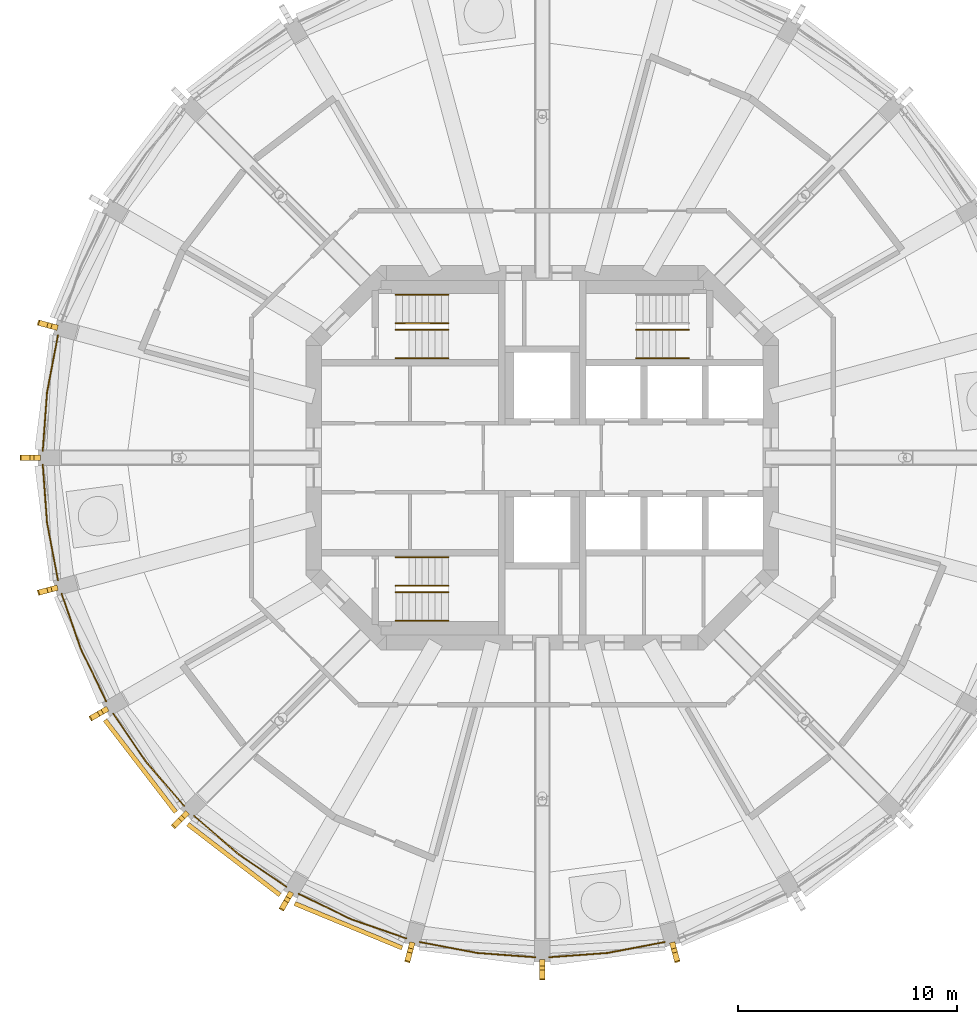
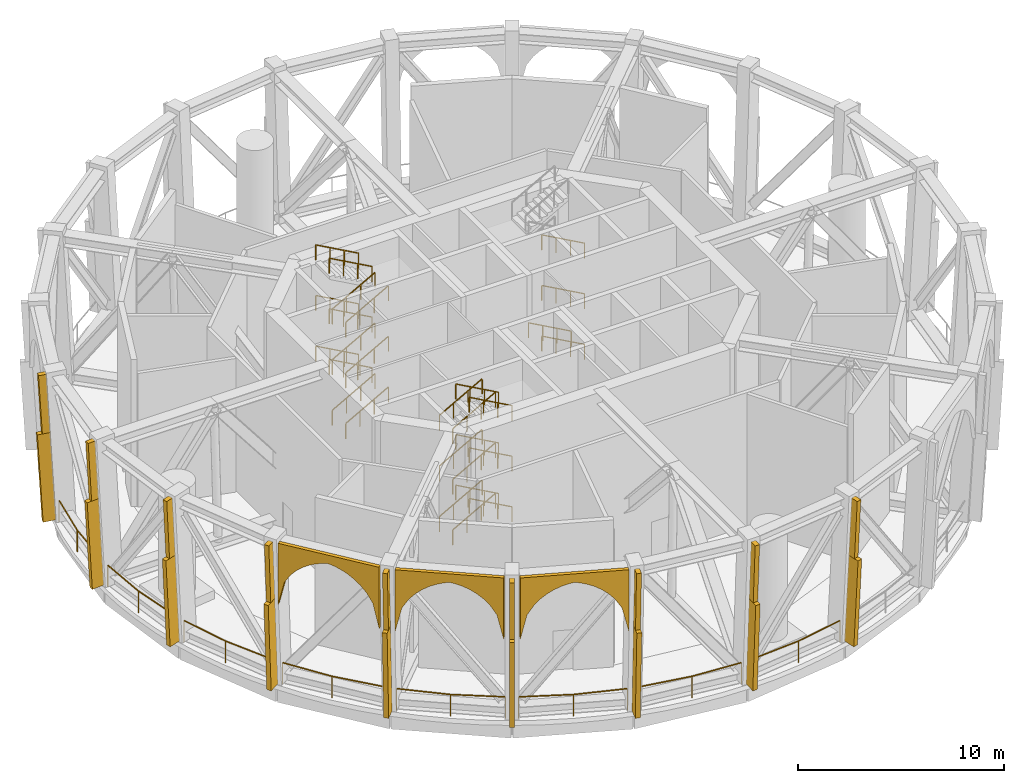
# One storey, part 9 of 12: 36 railings, 21 coverings.
"""IFC4 building model written with IfcOpenShell, lengths in metres."""

from ifc_helpers import new_model, si_unit, direction, frame, origin, origin_2d, place, context, subcontext, project, spatial, polyline, rectangle, outline, extrude, material, layer, layer_set, material_profile, profile_set, type_object, element, save


model = new_model("IFC4")

# Units and contexts
model_context = context("Model", 3, precision=1e-05, world=origin(), true_north=direction((0.0, 1.0)))
body_context = subcontext(model_context, "Body", "Model", "MODEL_VIEW")
ifc_project = project(units=[si_unit("LENGTHUNIT", "METRE"), si_unit("AREAUNIT", "SQUARE_METRE"), si_unit("VOLUMEUNIT", "CUBIC_METRE"), si_unit("PLANEANGLEUNIT", "RADIAN"), si_unit("MASSUNIT", "GRAM", prefix="KILO")], contexts=[model_context])

# Site, building, storey
site_placement = place(None, origin())
site = spatial("IfcSite", under=ifc_project, at=site_placement, CompositionType="ELEMENT")
building_placement = place(site_placement, origin())
building = spatial("IfcBuilding", under=site, at=building_placement, Name="Torre Triforio", CompositionType="ELEMENT")
storey_placement = place(building_placement, frame((0.0, 0.0, 183.800048828125)))
storey = spatial("IfcBuildingStorey", under=building, at=storey_placement, Name="L42", CompositionType="ELEMENT", Elevation=183.800048828125)

# Railings
ifc_material_1 = material(Name="Stainless steel AISI 316", Category="steel")
railing_type_1 = type_object("IfcRailingType", Name="HANDRAIL 920", PredefinedType="HANDRAIL", material=ifc_material_1)
for number, where, name in (
    (1, (-6.699951171875, 4.550048828125, 0.16650390625), "Handrail ST1"),
    (2, (-6.699951171875, 5.85009765625, 0.16650390625), "Handrail ST1"),
):
    element("IfcRailing", number, at=place(storey_placement, frame(where)), inside=storey, type_object=railing_type_1, Name=name, PredefinedType="HANDRAIL", context=body_context, shape_type="SweptSolid", body=[
        extrude(rectangle(XDim=0.048095703125, YDim=0.048095703125, at=origin_2d()), frame((0.0, 0.0, 0.89599609375), z_axis=(0.874123717778, 0.0, 0.485703331282), x_axis=(0.0, 1.0, 0.0)), (0.0, 0.0, 1.0), 2.74560546875),
        extrude(rectangle(XDim=0.0419921875, YDim=0.0419921875, at=origin_2d()), origin(), (0.0, 0.0, 1.0), 0.871826171875),
        extrude(rectangle(XDim=0.0419921875, YDim=0.0419921875, at=origin_2d()), frame((0.800048828125, 0.0, 0.444580078125)), (0.0, 0.0, 1.0), 0.871826171875),
        extrude(rectangle(XDim=0.0419921875, YDim=0.0419921875, at=origin_2d()), frame((1.599853515625, 0.0, 0.888916015625)), (0.0, 0.0, 1.0), 0.871826171875),
        extrude(rectangle(XDim=0.0419921875, YDim=0.0419921875, at=origin_2d()), frame((2.39990234375, 0.0, 1.33349609375)), (0.0, 0.0, 1.0), 0.871826171875),
    ])
for number, where, name in (
    (3, (-4.300048828125, 7.449951171875, 1.66650390625), "Handrail ST1"),
    (4, (-4.300048828125, 6.14990234375, 1.66650390625), "Handrail ST1"),
):
    element("IfcRailing", number, at=place(storey_placement, frame(where)), inside=storey, type_object=railing_type_1, Name=name, PredefinedType="HANDRAIL", context=body_context, shape_type="SweptSolid", body=[
        extrude(rectangle(XDim=0.048095703125, YDim=0.048095703125, at=origin_2d()), frame((0.0, 0.0, 0.89599609375), z_axis=(-0.874123717778, 0.0, 0.485703331282), x_axis=(0.0, -1.0, 0.0)), (0.0, 0.0, 1.0), 2.74560546875),
        extrude(rectangle(XDim=0.0419921875, YDim=0.0419921875, at=origin_2d()), origin(), (0.0, 0.0, 1.0), 0.871826171875),
        extrude(rectangle(XDim=0.0419921875, YDim=0.0419921875, at=origin_2d()), frame((-0.800048828125, 0.0, 0.444580078125)), (0.0, 0.0, 1.0), 0.871826171875),
        extrude(rectangle(XDim=0.0419921875, YDim=0.0419921875, at=origin_2d()), frame((-1.599853515625, 0.0, 0.888916015625)), (0.0, 0.0, 1.0), 0.871826171875),
        extrude(rectangle(XDim=0.0419921875, YDim=0.0419921875, at=origin_2d()), frame((-2.39990234375, 0.0, 1.33349609375)), (0.0, 0.0, 1.0), 0.871826171875),
    ])
for number, where, name in (
    (5, (-6.699951171875, 4.550048828125, 3.16650390625), "Handrail ST1"),
    (6, (-6.699951171875, 5.85009765625, 3.16650390625), "Handrail ST1"),
):
    element("IfcRailing", number, at=place(storey_placement, frame(where)), inside=storey, type_object=railing_type_1, Name=name, PredefinedType="HANDRAIL", context=body_context, shape_type="SweptSolid", body=[
        extrude(rectangle(XDim=0.048095703125, YDim=0.048095703125, at=origin_2d()), frame((0.0, 0.0, 0.89599609375), z_axis=(0.874123717778, 0.0, 0.485703331282), x_axis=(0.0, 1.0, 0.0)), (0.0, 0.0, 1.0), 2.74560546875),
        extrude(rectangle(XDim=0.0419921875, YDim=0.0419921875, at=origin_2d()), origin(), (0.0, 0.0, 1.0), 0.871826171875),
        extrude(rectangle(XDim=0.0419921875, YDim=0.0419921875, at=origin_2d()), frame((0.800048828125, 0.0, 0.444580078125)), (0.0, 0.0, 1.0), 0.871826171875),
        extrude(rectangle(XDim=0.0419921875, YDim=0.0419921875, at=origin_2d()), frame((1.599853515625, 0.0, 0.888916015625)), (0.0, 0.0, 1.0), 0.871826171875),
        extrude(rectangle(XDim=0.0419921875, YDim=0.0419921875, at=origin_2d()), frame((2.39990234375, 0.0, 1.33349609375)), (0.0, 0.0, 1.0), 0.871826171875),
    ])
for number, where, name in (
    (7, (-4.300048828125, 7.449951171875, 4.66650390625), "Handrail ST1"),
    (8, (-4.300048828125, 6.14990234375, 4.66650390625), "Handrail ST1"),
):
    element("IfcRailing", number, at=place(storey_placement, frame(where)), inside=storey, type_object=railing_type_1, Name=name, PredefinedType="HANDRAIL", context=body_context, shape_type="SweptSolid", body=[
        extrude(rectangle(XDim=0.048095703125, YDim=0.048095703125, at=origin_2d()), frame((0.0, 0.0, 0.89599609375), z_axis=(-0.874123717778, 0.0, 0.485703331282), x_axis=(0.0, -1.0, 0.0)), (0.0, 0.0, 1.0), 2.74560546875),
        extrude(rectangle(XDim=0.0419921875, YDim=0.0419921875, at=origin_2d()), origin(), (0.0, 0.0, 1.0), 0.871826171875),
        extrude(rectangle(XDim=0.0419921875, YDim=0.0419921875, at=origin_2d()), frame((-0.800048828125, 0.0, 0.444580078125)), (0.0, 0.0, 1.0), 0.871826171875),
        extrude(rectangle(XDim=0.0419921875, YDim=0.0419921875, at=origin_2d()), frame((-1.599853515625, 0.0, 0.888916015625)), (0.0, 0.0, 1.0), 0.871826171875),
        extrude(rectangle(XDim=0.0419921875, YDim=0.0419921875, at=origin_2d()), frame((-2.39990234375, 0.0, 1.33349609375)), (0.0, 0.0, 1.0), 0.871826171875),
    ])
for number, where, name in (
    (9, (-6.699951171875, 4.550048828125, 6.16650390625), "Handrail ST1"),
    (10, (-6.699951171875, 5.85009765625, 6.16650390625), "Handrail ST1"),
):
    element("IfcRailing", number, at=place(storey_placement, frame(where)), inside=storey, type_object=railing_type_1, Name=name, PredefinedType="HANDRAIL", context=body_context, shape_type="SweptSolid", body=[
        extrude(rectangle(XDim=0.048095703125, YDim=0.048095703125, at=origin_2d()), frame((0.0, 0.0, 0.89599609375), z_axis=(0.874123717778, 0.0, 0.485703331282), x_axis=(0.0, 1.0, 0.0)), (0.0, 0.0, 1.0), 2.74560546875),
        extrude(rectangle(XDim=0.0419921875, YDim=0.0419921875, at=origin_2d()), origin(), (0.0, 0.0, 1.0), 0.871826171875),
        extrude(rectangle(XDim=0.0419921875, YDim=0.0419921875, at=origin_2d()), frame((0.800048828125, 0.0, 0.444580078125)), (0.0, 0.0, 1.0), 0.871826171875),
        extrude(rectangle(XDim=0.0419921875, YDim=0.0419921875, at=origin_2d()), frame((1.599853515625, 0.0, 0.888916015625)), (0.0, 0.0, 1.0), 0.871826171875),
        extrude(rectangle(XDim=0.0419921875, YDim=0.0419921875, at=origin_2d()), frame((2.39990234375, 0.0, 1.33349609375)), (0.0, 0.0, 1.0), 0.871826171875),
    ])
for number, where, name in (
    (11, (-4.300048828125, 7.449951171875, 7.66650390625), "Handrail ST1"),
    (12, (-4.300048828125, 6.14990234375, 7.66650390625), "Handrail ST1"),
    (13, (6.699951171875, 4.550048828125, 0.16650390625), "Handrail ST2"),
    (14, (6.699951171875, 5.85009765625, 0.16650390625), "Handrail ST2"),
    (15, (6.699951171875, 4.550048828125, 3.16650390625), "Handrail ST2"),
    (16, (6.699951171875, 4.550048828125, 6.16650390625), "Handrail ST2"),
):
    element("IfcRailing", number, at=place(storey_placement, frame(where)), inside=storey, type_object=railing_type_1, Name=name, PredefinedType="HANDRAIL", context=body_context, shape_type="SweptSolid", body=[
        extrude(rectangle(XDim=0.048095703125, YDim=0.048095703125, at=origin_2d()), frame((0.0, 0.0, 0.89599609375), z_axis=(-0.874123717778, 0.0, 0.485703331282), x_axis=(0.0, -1.0, 0.0)), (0.0, 0.0, 1.0), 2.74560546875),
        extrude(rectangle(XDim=0.0419921875, YDim=0.0419921875, at=origin_2d()), origin(), (0.0, 0.0, 1.0), 0.871826171875),
        extrude(rectangle(XDim=0.0419921875, YDim=0.0419921875, at=origin_2d()), frame((-0.800048828125, 0.0, 0.444580078125)), (0.0, 0.0, 1.0), 0.871826171875),
        extrude(rectangle(XDim=0.0419921875, YDim=0.0419921875, at=origin_2d()), frame((-1.599853515625, 0.0, 0.888916015625)), (0.0, 0.0, 1.0), 0.871826171875),
        extrude(rectangle(XDim=0.0419921875, YDim=0.0419921875, at=origin_2d()), frame((-2.39990234375, 0.0, 1.33349609375)), (0.0, 0.0, 1.0), 0.871826171875),
    ])
for number, where, name in (
    (17, (-6.699951171875, -4.550048828125, 0.16650390625), "Handrail ST3"),
    (18, (-6.699951171875, -5.85009765625, 0.16650390625), "Handrail ST3"),
):
    element("IfcRailing", number, at=place(storey_placement, frame(where)), inside=storey, type_object=railing_type_1, Name=name, PredefinedType="HANDRAIL", context=body_context, shape_type="SweptSolid", body=[
        extrude(rectangle(XDim=0.048095703125, YDim=0.048095703125, at=origin_2d()), frame((0.0, 0.0, 0.89599609375), z_axis=(0.874123717778, 0.0, 0.485703331282), x_axis=(0.0, 1.0, 0.0)), (0.0, 0.0, 1.0), 2.74560546875),
        extrude(rectangle(XDim=0.0419921875, YDim=0.0419921875, at=origin_2d()), origin(), (0.0, 0.0, 1.0), 0.871826171875),
        extrude(rectangle(XDim=0.0419921875, YDim=0.0419921875, at=origin_2d()), frame((0.800048828125, 0.0, 0.444580078125)), (0.0, 0.0, 1.0), 0.871826171875),
        extrude(rectangle(XDim=0.0419921875, YDim=0.0419921875, at=origin_2d()), frame((1.599853515625, 0.0, 0.888916015625)), (0.0, 0.0, 1.0), 0.871826171875),
        extrude(rectangle(XDim=0.0419921875, YDim=0.0419921875, at=origin_2d()), frame((2.39990234375, 0.0, 1.33349609375)), (0.0, 0.0, 1.0), 0.871826171875),
    ])
for number, where, name in (
    (19, (-4.300048828125, -7.449951171875, 1.66650390625), "Handrail ST3"),
    (20, (-4.300048828125, -6.14990234375, 1.66650390625), "Handrail ST3"),
):
    element("IfcRailing", number, at=place(storey_placement, frame(where)), inside=storey, type_object=railing_type_1, Name=name, PredefinedType="HANDRAIL", context=body_context, shape_type="SweptSolid", body=[
        extrude(rectangle(XDim=0.048095703125, YDim=0.048095703125, at=origin_2d()), frame((0.0, 0.0, 0.89599609375), z_axis=(-0.874123717778, 0.0, 0.485703331282), x_axis=(0.0, -1.0, 0.0)), (0.0, 0.0, 1.0), 2.74560546875),
        extrude(rectangle(XDim=0.0419921875, YDim=0.0419921875, at=origin_2d()), origin(), (0.0, 0.0, 1.0), 0.871826171875),
        extrude(rectangle(XDim=0.0419921875, YDim=0.0419921875, at=origin_2d()), frame((-0.800048828125, 0.0, 0.444580078125)), (0.0, 0.0, 1.0), 0.871826171875),
        extrude(rectangle(XDim=0.0419921875, YDim=0.0419921875, at=origin_2d()), frame((-1.599853515625, 0.0, 0.888916015625)), (0.0, 0.0, 1.0), 0.871826171875),
        extrude(rectangle(XDim=0.0419921875, YDim=0.0419921875, at=origin_2d()), frame((-2.39990234375, 0.0, 1.33349609375)), (0.0, 0.0, 1.0), 0.871826171875),
    ])
for number, where, name in (
    (21, (-6.699951171875, -4.550048828125, 3.16650390625), "Handrail ST3"),
    (22, (-6.699951171875, -5.85009765625, 3.16650390625), "Handrail ST3"),
):
    element("IfcRailing", number, at=place(storey_placement, frame(where)), inside=storey, type_object=railing_type_1, Name=name, PredefinedType="HANDRAIL", context=body_context, shape_type="SweptSolid", body=[
        extrude(rectangle(XDim=0.048095703125, YDim=0.048095703125, at=origin_2d()), frame((0.0, 0.0, 0.89599609375), z_axis=(0.874123717778, 0.0, 0.485703331282), x_axis=(0.0, 1.0, 0.0)), (0.0, 0.0, 1.0), 2.74560546875),
        extrude(rectangle(XDim=0.0419921875, YDim=0.0419921875, at=origin_2d()), origin(), (0.0, 0.0, 1.0), 0.871826171875),
        extrude(rectangle(XDim=0.0419921875, YDim=0.0419921875, at=origin_2d()), frame((0.800048828125, 0.0, 0.444580078125)), (0.0, 0.0, 1.0), 0.871826171875),
        extrude(rectangle(XDim=0.0419921875, YDim=0.0419921875, at=origin_2d()), frame((1.599853515625, 0.0, 0.888916015625)), (0.0, 0.0, 1.0), 0.871826171875),
        extrude(rectangle(XDim=0.0419921875, YDim=0.0419921875, at=origin_2d()), frame((2.39990234375, 0.0, 1.33349609375)), (0.0, 0.0, 1.0), 0.871826171875),
    ])
for number, where, name in (
    (23, (-4.300048828125, -7.449951171875, 4.66650390625), "Handrail ST3"),
    (24, (-4.300048828125, -6.14990234375, 4.66650390625), "Handrail ST3"),
):
    element("IfcRailing", number, at=place(storey_placement, frame(where)), inside=storey, type_object=railing_type_1, Name=name, PredefinedType="HANDRAIL", context=body_context, shape_type="SweptSolid", body=[
        extrude(rectangle(XDim=0.048095703125, YDim=0.048095703125, at=origin_2d()), frame((0.0, 0.0, 0.89599609375), z_axis=(-0.874123717778, 0.0, 0.485703331282), x_axis=(0.0, -1.0, 0.0)), (0.0, 0.0, 1.0), 2.74560546875),
        extrude(rectangle(XDim=0.0419921875, YDim=0.0419921875, at=origin_2d()), origin(), (0.0, 0.0, 1.0), 0.871826171875),
        extrude(rectangle(XDim=0.0419921875, YDim=0.0419921875, at=origin_2d()), frame((-0.800048828125, 0.0, 0.444580078125)), (0.0, 0.0, 1.0), 0.871826171875),
        extrude(rectangle(XDim=0.0419921875, YDim=0.0419921875, at=origin_2d()), frame((-1.599853515625, 0.0, 0.888916015625)), (0.0, 0.0, 1.0), 0.871826171875),
        extrude(rectangle(XDim=0.0419921875, YDim=0.0419921875, at=origin_2d()), frame((-2.39990234375, 0.0, 1.33349609375)), (0.0, 0.0, 1.0), 0.871826171875),
    ])
for number, where, name in (
    (25, (-6.699951171875, -4.550048828125, 6.16650390625), "Handrail ST3"),
    (26, (-6.699951171875, -5.85009765625, 6.16650390625), "Handrail ST3"),
):
    element("IfcRailing", number, at=place(storey_placement, frame(where)), inside=storey, type_object=railing_type_1, Name=name, PredefinedType="HANDRAIL", context=body_context, shape_type="SweptSolid", body=[
        extrude(rectangle(XDim=0.048095703125, YDim=0.048095703125, at=origin_2d()), frame((0.0, 0.0, 0.89599609375), z_axis=(0.874123717778, 0.0, 0.485703331282), x_axis=(0.0, 1.0, 0.0)), (0.0, 0.0, 1.0), 2.74560546875),
        extrude(rectangle(XDim=0.0419921875, YDim=0.0419921875, at=origin_2d()), origin(), (0.0, 0.0, 1.0), 0.871826171875),
        extrude(rectangle(XDim=0.0419921875, YDim=0.0419921875, at=origin_2d()), frame((0.800048828125, 0.0, 0.444580078125)), (0.0, 0.0, 1.0), 0.871826171875),
        extrude(rectangle(XDim=0.0419921875, YDim=0.0419921875, at=origin_2d()), frame((1.599853515625, 0.0, 0.888916015625)), (0.0, 0.0, 1.0), 0.871826171875),
        extrude(rectangle(XDim=0.0419921875, YDim=0.0419921875, at=origin_2d()), frame((2.39990234375, 0.0, 1.33349609375)), (0.0, 0.0, 1.0), 0.871826171875),
    ])
for number, where, name in (
    (27, (-4.300048828125, -7.449951171875, 7.66650390625), "Handrail ST3"),
    (28, (-4.300048828125, -6.14990234375, 7.66650390625), "Handrail ST3"),
):
    element("IfcRailing", number, at=place(storey_placement, frame(where)), inside=storey, type_object=railing_type_1, Name=name, PredefinedType="HANDRAIL", context=body_context, shape_type="SweptSolid", body=[
        extrude(rectangle(XDim=0.048095703125, YDim=0.048095703125, at=origin_2d()), frame((0.0, 0.0, 0.89599609375), z_axis=(-0.874123717778, 0.0, 0.485703331282), x_axis=(0.0, -1.0, 0.0)), (0.0, 0.0, 1.0), 2.74560546875),
        extrude(rectangle(XDim=0.0419921875, YDim=0.0419921875, at=origin_2d()), origin(), (0.0, 0.0, 1.0), 0.871826171875),
        extrude(rectangle(XDim=0.0419921875, YDim=0.0419921875, at=origin_2d()), frame((-0.800048828125, 0.0, 0.444580078125)), (0.0, 0.0, 1.0), 0.871826171875),
        extrude(rectangle(XDim=0.0419921875, YDim=0.0419921875, at=origin_2d()), frame((-1.599853515625, 0.0, 0.888916015625)), (0.0, 0.0, 1.0), 0.871826171875),
        extrude(rectangle(XDim=0.0419921875, YDim=0.0419921875, at=origin_2d()), frame((-2.39990234375, 0.0, 1.33349609375)), (0.0, 0.0, 1.0), 0.871826171875),
    ])

# Coverings
ifc_material_2 = material(Name="Limestone arch panel", Category="masonry")
ifc_layer = layer(ifc_material_2, 0.199951171875)
ifc_layer_set = layer_set([ifc_layer], Name="Limestone arch panel")
covering_type_1 = type_object("IfcCoveringType", Name="Lancet arch cladding panel 200", PredefinedType="CLADDING", material=ifc_layer_set)
for number, where, z_axis, x_axis, name in (
    (29, (-18.305908203125, -14.046630859375, 0.0), (-0.793213368033, -0.608943800998, 0.0), (0.608943800998, -0.793213368033, 0.0), "Lancet arch panel L42 bay 15"),
    (30, (-14.046630859375, -18.305908203125, 0.0), (-0.608943800998, -0.793213368033, 0.0), (0.793213368033, -0.608943800998, 0.0), "Lancet arch panel L42 bay 16"),
    (31, (-8.830078125, -21.317626953125, 0.0), (-0.382100188932, -0.924120904221, 0.0), (0.924120904221, -0.382100188932, 0.0), "Lancet arch panel L42 bay 17"),
):
    element("IfcCovering", number, at=place(storey_placement, frame(where, z_axis=z_axis, x_axis=x_axis)), inside=storey, type_object=covering_type_1, Name=name, PredefinedType="CLADDING", context=body_context, shape_type="SweptSolid", body=[
        extrude(outline(polyline([(-2.65869140625, 8.719970703125), (-2.65869140625, 5.082763671875), (-2.326416015625, 6.498046875), (-1.994140625, 7.028564453125), (-1.66162109375, 7.395263671875), (-1.329345703125, 7.6689453125), (-0.9970703125, 7.877197265625), (-0.664794921875, 8.033447265625), (-0.332275390625, 8.146240234375), (0.0, 8.219970703125), (0.332275390625, 8.146240234375), (0.664794921875, 8.033447265625), (0.9970703125, 7.877197265625), (1.329345703125, 7.6689453125), (1.66162109375, 7.395263671875), (1.994140625, 7.028564453125), (2.326416015625, 6.498046875), (2.65869140625, 5.082763671875), (2.65869140625, 8.719970703125), (-2.65869140625, 8.719970703125)])), origin(), (0.0, 0.0, 1.0), 0.199951171875),
    ])

# Railings
railing_type_2 = type_object("IfcRailingType", Name="Loggia guard 1300", PredefinedType="GUARDRAIL", material=ifc_material_1)
railing_1_placement = place(storey_placement, frame((-22.154296875, 5.60498046875, 0.0)))
element("IfcRailing", 32, at=railing_1_placement, inside=storey, type_object=railing_type_2, Name="Loggia guard L42 bay 12", PredefinedType="GUARDRAIL", context=body_context, shape_type="SweptSolid", body=[
    extrude(rectangle(XDim=0.050048828125, YDim=0.050048828125, at=origin_2d()), frame((0.0, 0.0, 1.27490234375), z_axis=(-0.187368424401, -0.982289709575, 0.0), x_axis=(0.982289709575, -0.187368424401, 0.0)), (0.0, 0.0, 1.0), 2.669921875),
    extrude(rectangle(XDim=0.050048828125, YDim=0.050048828125, at=origin_2d()), frame((-0.500244140625, -2.62255859375, 1.27490234375), z_axis=(-0.073255194528, -0.997313228868, 0.0), x_axis=(0.997313228868, -0.073255194528, 0.0)), (0.0, 0.0, 1.0), 2.66943359375),
    extrude(rectangle(XDim=0.0400390625, YDim=0.0400390625, at=origin_2d()), origin(), (0.0, 0.0, 1.0), 1.25),
    extrude(rectangle(XDim=0.0400390625, YDim=0.0400390625, at=origin_2d()), frame((-0.500244140625, -2.62255859375, 0.0)), (0.0, 0.0, 1.0), 1.25),
    extrude(rectangle(XDim=0.0400390625, YDim=0.0400390625, at=origin_2d()), frame((-0.69580078125, -5.284912109375, 0.0)), (0.0, 0.0, 1.0), 1.25),
])
railing_2_placement = place(storey_placement, frame((-22.85009765625, -0.320068359375, 0.0)))
element("IfcRailing", 33, at=railing_2_placement, inside=storey, type_object=railing_type_2, Name="Loggia guard L42 bay 13", PredefinedType="GUARDRAIL", context=body_context, shape_type="SweptSolid", body=[
    extrude(rectangle(XDim=0.050048828125, YDim=0.050048828125, at=origin_2d()), frame((0.0, 0.0, 1.27490234375), z_axis=(0.073255194528, -0.997313228868, 0.0), x_axis=(0.997313228868, 0.073255194528, 0.0)), (0.0, 0.0, 1.0), 2.66943359375),
    extrude(rectangle(XDim=0.050048828125, YDim=0.050048828125, at=origin_2d()), frame((0.195556640625, -2.662353515625, 1.27490234375), z_axis=(0.187368424401, -0.982289709575, 0.0), x_axis=(0.982289709575, 0.187368424401, 0.0)), (0.0, 0.0, 1.0), 2.669921875),
    extrude(rectangle(XDim=0.0400390625, YDim=0.0400390625, at=origin_2d()), origin(), (0.0, 0.0, 1.0), 1.25),
    extrude(rectangle(XDim=0.0400390625, YDim=0.0400390625, at=origin_2d()), frame((0.195556640625, -2.662353515625, 0.0)), (0.0, 0.0, 1.0), 1.25),
    extrude(rectangle(XDim=0.0400390625, YDim=0.0400390625, at=origin_2d()), frame((0.69580078125, -5.284912109375, 0.0)), (0.0, 0.0, 1.0), 1.25),
])
railing_3_placement = place(storey_placement, frame((-21.988525390625, -6.22314453125, 0.0)))
element("IfcRailing", 34, at=railing_3_placement, inside=storey, type_object=railing_type_2, Name="Loggia guard L42 bay 14", PredefinedType="GUARDRAIL", context=body_context, shape_type="SweptSolid", body=[
    extrude(rectangle(XDim=0.050048828125, YDim=0.050048828125, at=origin_2d()), frame((0.0, 0.0, 1.27490234375), z_axis=(0.328846918852, -0.944383239984, 0.0), x_axis=(0.944383239984, 0.328846918852, 0.0)), (0.0, 0.0, 1.0), 2.669677734375),
    extrude(rectangle(XDim=0.050048828125, YDim=0.050048828125, at=origin_2d()), frame((0.8779296875, -2.521240234375, 1.27490234375), z_axis=(0.435211903812, -0.900328050646, 0.0), x_axis=(0.900328050646, 0.435211903812, 0.0)), (0.0, 0.0, 1.0), 2.669677734375),
    extrude(rectangle(XDim=0.0400390625, YDim=0.0400390625, at=origin_2d()), origin(), (0.0, 0.0, 1.0), 1.25),
    extrude(rectangle(XDim=0.0400390625, YDim=0.0400390625, at=origin_2d()), frame((0.8779296875, -2.521240234375, 0.0)), (0.0, 0.0, 1.0), 1.25),
    extrude(rectangle(XDim=0.0400390625, YDim=0.0400390625, at=origin_2d()), frame((2.039794921875, -4.9248046875, 0.0)), (0.0, 0.0, 1.0), 1.25),
])
railing_4_placement = place(storey_placement, frame((-19.628662109375, -11.7021484375, 0.0)))
element("IfcRailing", 35, at=railing_4_placement, inside=storey, type_object=railing_type_2, Name="Loggia guard L42 bay 15", PredefinedType="GUARDRAIL", context=body_context, shape_type="SweptSolid", body=[
    extrude(rectangle(XDim=0.050048828125, YDim=0.050048828125, at=origin_2d()), frame((0.0, 0.0, 1.27490234375), z_axis=(0.562064856935, -0.827093160774, 0.0), x_axis=(0.827093160774, 0.562064856935, 0.0)), (0.0, 0.0, 1.0), 2.669677734375),
    extrude(rectangle(XDim=0.050048828125, YDim=0.050048828125, at=origin_2d()), frame((1.50048828125, -2.2080078125, 1.27490234375), z_axis=(0.653400799038, -0.757012150376, 0.0), x_axis=(0.757012150376, 0.653400799038, 0.0)), (0.0, 0.0, 1.0), 2.669677734375),
    extrude(rectangle(XDim=0.0400390625, YDim=0.0400390625, at=origin_2d()), origin(), (0.0, 0.0, 1.0), 1.25),
    extrude(rectangle(XDim=0.0400390625, YDim=0.0400390625, at=origin_2d()), frame((1.50048828125, -2.2080078125, 0.0)), (0.0, 0.0, 1.0), 1.25),
    extrude(rectangle(XDim=0.0400390625, YDim=0.0400390625, at=origin_2d()), frame((3.244873046875, -4.22900390625, 0.0)), (0.0, 0.0, 1.0), 1.25),
])
railing_5_placement = place(storey_placement, frame((-15.93115234375, -16.3837890625, 0.0)))
element("IfcRailing", 36, at=railing_5_placement, inside=storey, type_object=railing_type_2, Name="Loggia guard L42 bay 16", PredefinedType="GUARDRAIL", context=body_context, shape_type="SweptSolid", body=[
    extrude(rectangle(XDim=0.050048828125, YDim=0.050048828125, at=origin_2d()), frame((0.0, 0.0, 1.27490234375), z_axis=(0.757012150376, -0.653400799038, 0.0), x_axis=(0.653400799038, 0.757012150376, 0.0)), (0.0, 0.0, 1.0), 2.669677734375),
    extrude(rectangle(XDim=0.050048828125, YDim=0.050048828125, at=origin_2d()), frame((2.02099609375, -1.744384765625, 1.27490234375), z_axis=(0.827093160774, -0.562064856935, 0.0), x_axis=(0.562064856935, 0.827093160774, 0.0)), (0.0, 0.0, 1.0), 2.669677734375),
    extrude(rectangle(XDim=0.0400390625, YDim=0.0400390625, at=origin_2d()), origin(), (0.0, 0.0, 1.0), 1.25),
    extrude(rectangle(XDim=0.0400390625, YDim=0.0400390625, at=origin_2d()), frame((2.02099609375, -1.744384765625, 0.0)), (0.0, 0.0, 1.0), 1.25),
    extrude(rectangle(XDim=0.0400390625, YDim=0.0400390625, at=origin_2d()), frame((4.22900390625, -3.244873046875, 0.0)), (0.0, 0.0, 1.0), 1.25),
])
railing_6_placement = place(storey_placement, frame((-11.14794921875, -19.94873046875, 0.0)))
element("IfcRailing", 37, at=railing_6_placement, inside=storey, type_object=railing_type_2, Name="Loggia guard L42 bay 17", PredefinedType="GUARDRAIL", context=body_context, shape_type="SweptSolid", body=[
    extrude(rectangle(XDim=0.050048828125, YDim=0.050048828125, at=origin_2d()), frame((0.0, 0.0, 1.27490234375), z_axis=(0.900328050646, -0.435211903812, 0.0), x_axis=(0.435211903812, 0.900328050646, 0.0)), (0.0, 0.0, 1.0), 2.669677734375),
    extrude(rectangle(XDim=0.050048828125, YDim=0.050048828125, at=origin_2d()), frame((2.403564453125, -1.161865234375, 1.27490234375), z_axis=(0.944383239984, -0.328846918852, 0.0), x_axis=(0.328846918852, 0.944383239984, 0.0)), (0.0, 0.0, 1.0), 2.669677734375),
    extrude(rectangle(XDim=0.0400390625, YDim=0.0400390625, at=origin_2d()), origin(), (0.0, 0.0, 1.0), 1.25),
    extrude(rectangle(XDim=0.0400390625, YDim=0.0400390625, at=origin_2d()), frame((2.403564453125, -1.161865234375, 0.0)), (0.0, 0.0, 1.0), 1.25),
    extrude(rectangle(XDim=0.0400390625, YDim=0.0400390625, at=origin_2d()), frame((4.9248046875, -2.039794921875, 0.0)), (0.0, 0.0, 1.0), 1.25),
])
railing_7_placement = place(storey_placement, frame((-5.60498046875, -22.154296875, 0.0)))
element("IfcRailing", 38, at=railing_7_placement, inside=storey, type_object=railing_type_2, Name="Loggia guard L42 bay 18", PredefinedType="GUARDRAIL", context=body_context, shape_type="SweptSolid", body=[
    extrude(rectangle(XDim=0.050048828125, YDim=0.050048828125, at=origin_2d()), frame((0.0, 0.0, 1.27490234375), z_axis=(0.982289709575, -0.187368424401, 0.0), x_axis=(0.187368424401, 0.982289709575, 0.0)), (0.0, 0.0, 1.0), 2.669921875),
    extrude(rectangle(XDim=0.050048828125, YDim=0.050048828125, at=origin_2d()), frame((2.62255859375, -0.500244140625, 1.27490234375), z_axis=(0.997313228868, -0.073255194528, 0.0), x_axis=(0.073255194528, 0.997313228868, 0.0)), (0.0, 0.0, 1.0), 2.66943359375),
    extrude(rectangle(XDim=0.0400390625, YDim=0.0400390625, at=origin_2d()), origin(), (0.0, 0.0, 1.0), 1.25),
    extrude(rectangle(XDim=0.0400390625, YDim=0.0400390625, at=origin_2d()), frame((2.62255859375, -0.500244140625, 0.0)), (0.0, 0.0, 1.0), 1.25),
    extrude(rectangle(XDim=0.0400390625, YDim=0.0400390625, at=origin_2d()), frame((5.284912109375, -0.69580078125, 0.0)), (0.0, 0.0, 1.0), 1.25),
])
railing_8_placement = place(storey_placement, frame((0.320068359375, -22.85009765625, 0.0)))
element("IfcRailing", 39, at=railing_8_placement, inside=storey, type_object=railing_type_2, Name="Loggia guard L42 bay 19", PredefinedType="GUARDRAIL", context=body_context, shape_type="SweptSolid", body=[
    extrude(rectangle(XDim=0.050048828125, YDim=0.050048828125, at=origin_2d()), frame((0.0, 0.0, 1.27490234375), z_axis=(0.997313228868, 0.073255194528, 0.0), x_axis=(-0.073255194528, 0.997313228868, 0.0)), (0.0, 0.0, 1.0), 2.66943359375),
    extrude(rectangle(XDim=0.050048828125, YDim=0.050048828125, at=origin_2d()), frame((2.662353515625, 0.195556640625, 1.27490234375), z_axis=(0.982289709575, 0.187368424401, 0.0), x_axis=(-0.187368424401, 0.982289709575, 0.0)), (0.0, 0.0, 1.0), 2.669921875),
    extrude(rectangle(XDim=0.0400390625, YDim=0.0400390625, at=origin_2d()), origin(), (0.0, 0.0, 1.0), 1.25),
    extrude(rectangle(XDim=0.0400390625, YDim=0.0400390625, at=origin_2d()), frame((2.662353515625, 0.195556640625, 0.0)), (0.0, 0.0, 1.0), 1.25),
    extrude(rectangle(XDim=0.0400390625, YDim=0.0400390625, at=origin_2d()), frame((5.284912109375, 0.69580078125, 0.0)), (0.0, 0.0, 1.0), 1.25),
])

# Coverings
ifc_material_3 = material(Name="Limestone fin", Category="masonry")
ifc_material_profile_1 = material_profile(ifc_material_3, rectangle(XDim=0.39990234375, YDim=0.25, at=origin_2d()), Name="FIN 400x250")
ifc_profile_set_1 = profile_set([ifc_material_profile_1], Name="Limestone fin")
covering_type_2 = type_object("IfcCoveringType", Name="Stone fin 400 x 250", PredefinedType="CLADDING", material=ifc_profile_set_1)
for number, where, z_axis, x_axis, name in (
    (40, (-22.642822265625, 6.067138671875, 5.23193359375), (-0.053602470376, 0.014326605511, 0.998459575318), (0.96460025746, -0.257813628135, 0.055484019825), "Stone fin C12 L42 upper"),
    (41, (-23.441650390625, 0.0, 5.23193359375), (-0.055489372619, 0.0, 0.998459277851), (0.998459277851, 0.0, 0.055489372619), "Stone fin C13 L42 upper"),
    (42, (-22.642822265625, -6.067138671875, 5.23193359375), (-0.053602470376, -0.014326605511, 0.998459575318), (0.96460025746, 0.257813628135, 0.055484019825), "Stone fin C14 L42 upper"),
    (43, (-20.301025390625, -11.720703125, 5.23193359375), (-0.048081410785, -0.027744651281, 0.998458017276), (0.864808086683, 0.49902443374, 0.055512050384), "Stone fin C15 L42 upper"),
    (44, (-16.57568359375, -16.57568359375, 5.23193359375), (-0.039275733082, -0.039275733082, 0.99845622517), (0.706015167536, 0.706015167536, 0.055544274397), "Stone fin C16 L42 upper"),
    (45, (-11.720703125, -20.301025390625, 5.23193359375), (-0.027744651281, -0.048081410785, 0.998458017276), (0.49902443374, 0.864808086683, 0.055512050384), "Stone fin C17 L42 upper"),
    (46, (-6.067138671875, -22.642822265625, 5.23193359375), (-0.014326605511, -0.053602470376, 0.998459575318), (0.257813628135, 0.96460025746, 0.055484019825), "Stone fin C18 L42 upper"),
    (47, (0.0, -23.441650390625, 5.23193359375), (0.0, -0.055489372619, 0.998459277851), (0.0, 0.998459277851, 0.055489372619), "Stone fin C19 L42 upper"),
    (48, (6.067138671875, -22.642822265625, 5.23193359375), (0.014326605511, -0.053602470376, 0.998459575318), (-0.257813628135, 0.96460025746, 0.055484019825), "Stone fin C20 L42 upper"),
):
    element("IfcCovering", number, at=place(storey_placement, frame(where, z_axis=z_axis, x_axis=x_axis)), inside=storey, type_object=covering_type_2, Name=name, PredefinedType="CLADDING", context=body_context, shape_type="SweptSolid", body=[
        extrude(rectangle(XDim=0.39990234375, YDim=0.25, at=origin_2d()), origin(), (0.0, 0.0, 1.0), 3.493408203125),
    ])
ifc_material_profile_2 = material_profile(ifc_material_3, rectangle(XDim=0.64990234375, YDim=0.25, at=origin_2d()), Name="FIN 650x250")
ifc_profile_set_2 = profile_set([ifc_material_profile_2], Name="Limestone fin")
covering_type_3 = type_object("IfcCoveringType", Name="Stone fin 650 x 250", PredefinedType="CLADDING", material=ifc_profile_set_2)
for number, where, z_axis, x_axis, name in (
    (49, (-22.483154296875, 6.0244140625, 0.0), (-0.053580470328, 0.014350247705, 0.998460416637), (0.964468379429, -0.258309792056, 0.055468877849), "Stone fin C12 L42"),
    (50, (-23.276123046875, 0.0, 0.0), (-0.055490663299, 0.0, 0.99845920612), (0.99845920612, 0.0, 0.055490663299), "Stone fin C13 L42"),
    (51, (-22.483154296875, -6.0244140625, 0.0), (-0.053580470328, -0.014350247705, 0.998460416637), (0.964468379429, 0.258309792056, 0.055468877849), "Stone fin C14 L42"),
    (52, (-20.15771484375, -11.63818359375, 0.0), (-0.04803607615, -0.027722080804, 0.998460826284), (0.86478254671, 0.499074311632, 0.05546150355), "Stone fin C15 L42"),
    (53, (-16.458740234375, -16.458740234375, 0.0), (-0.039230198608, -0.039230198608, 0.998459805418), (0.706017699153, 0.706017699153, 0.055479878926), "Stone fin C16 L42"),
    (54, (-11.63818359375, -20.15771484375, 0.0), (-0.027722080804, -0.04803607615, 0.998460826284), (0.499074311632, 0.86478254671, 0.05546150355), "Stone fin C17 L42"),
    (55, (-6.0244140625, -22.483154296875, 0.0), (-0.014350247705, -0.053580470328, 0.998460416637), (0.258309792056, 0.964468379429, 0.055468877849), "Stone fin C18 L42"),
    (56, (0.0, -23.276123046875, 0.0), (0.0, -0.055490663299, 0.99845920612), (0.0, 0.99845920612, 0.055490663299), "Stone fin C19 L42"),
    (57, (6.0244140625, -22.483154296875, 0.0), (0.014350247705, -0.053580470328, 0.998460416637), (-0.258309792056, 0.964468379429, 0.055468877849), "Stone fin C20 L42"),
):
    element("IfcCovering", number, at=place(storey_placement, frame(where, z_axis=z_axis, x_axis=x_axis)), inside=storey, type_object=covering_type_3, Name=name, PredefinedType="CLADDING", context=body_context, shape_type="SweptSolid", body=[
        extrude(rectangle(XDim=0.64990234375, YDim=0.25, at=origin_2d()), origin(), (0.0, 0.0, 1.0), 5.239990234375),
    ])

save(model, "model.ifc")
